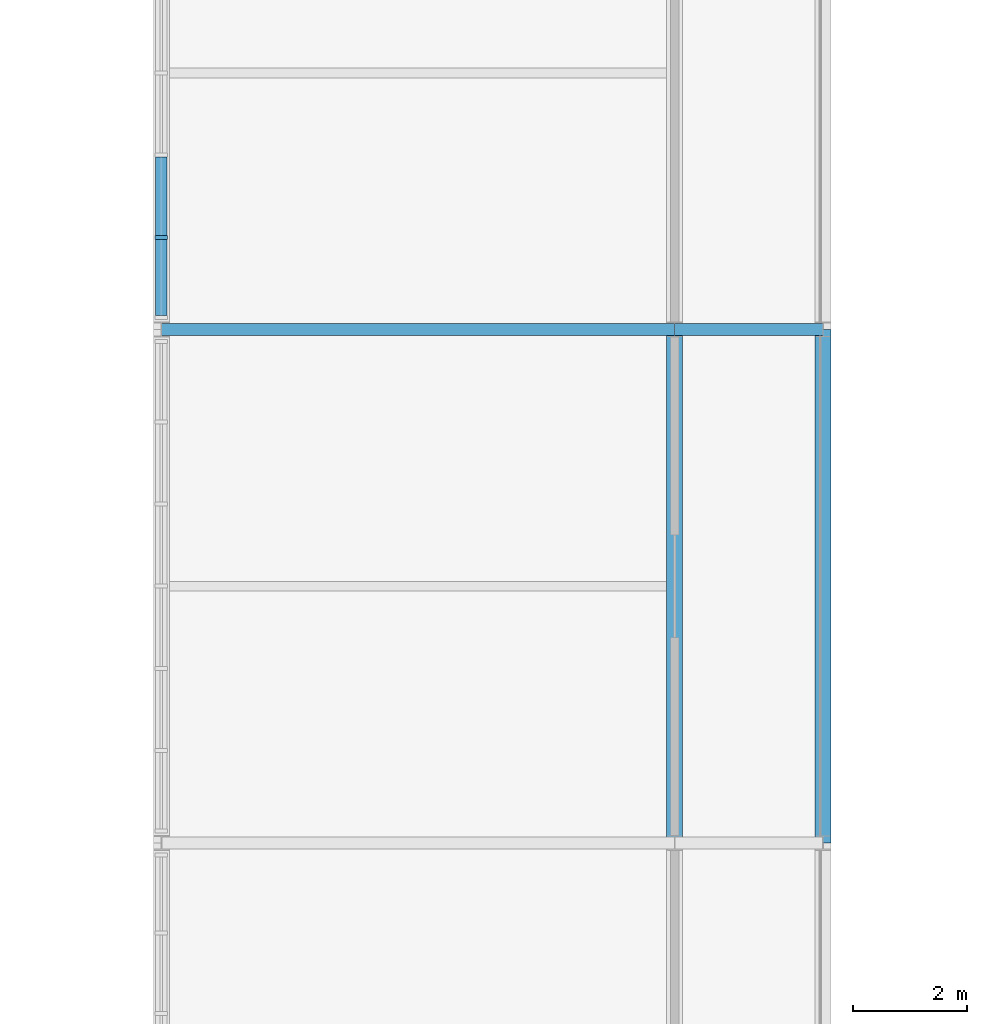
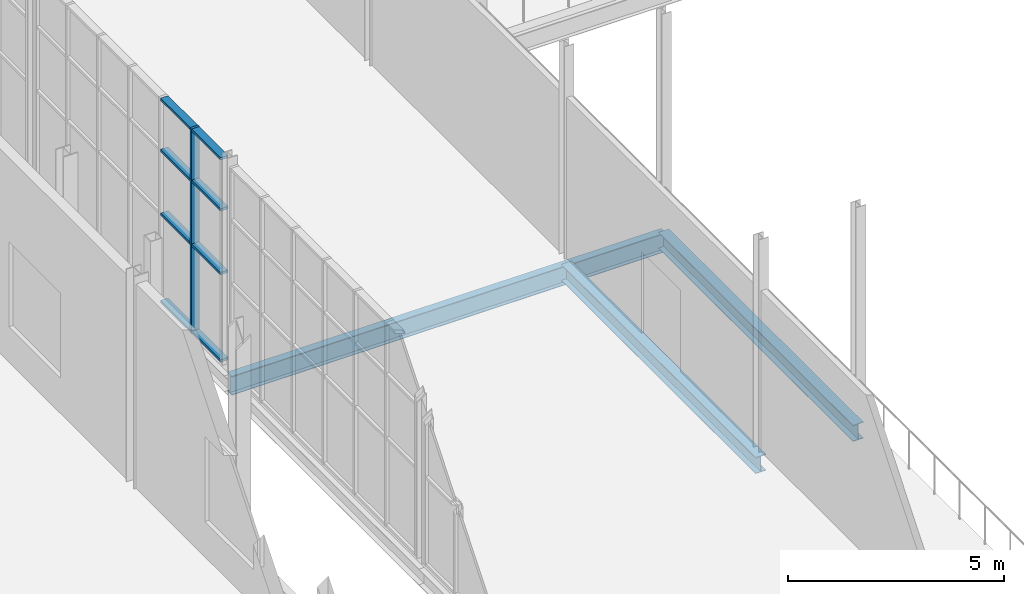
# One storey, part 54 of 159: 9 members, 4 beams, 1 element without a shape of its own.
"""IFC4 building model written with IfcOpenShell, lengths in metres."""

from ifc_helpers import new_model, si_unit, direction, frame, origin, origin_2d, place, context, subcontext, project, spatial, rectangle, i_section, extrude, material, layer, layer_set, material_profile, profile_set, type_object, element, aggregate, save


model = new_model("IFC4")

# Units and contexts
model_context = context("Model", 3, precision=1e-05, world=origin(), true_north=direction((0.0, 1.0)))
body_context = subcontext(model_context, "Body", "Model", "MODEL_VIEW")
ifc_project = project(units=[si_unit("LENGTHUNIT", "METRE"), si_unit("AREAUNIT", "SQUARE_METRE"), si_unit("VOLUMEUNIT", "CUBIC_METRE"), si_unit("PLANEANGLEUNIT", "RADIAN"), si_unit("MASSUNIT", "GRAM", prefix="KILO")], contexts=[model_context])

# Site, building, storey
site_placement = place(None, origin())
site = spatial("IfcSite", under=ifc_project, at=site_placement, CompositionType="ELEMENT")
building_placement = place(site_placement, origin())
building = spatial("IfcBuilding", under=site, at=building_placement, Name="Cazmaro Siding Exhibition Halls", CompositionType="ELEMENT")
storey_placement = place(building_placement, frame((0.0, 0.0, 6.0)))
storey = spatial("IfcBuildingStorey", under=building, at=storey_placement, Name="L01", CompositionType="ELEMENT", Elevation=6.0)

# Beams
ifc_material_1 = material(Name="Steel ASTM A992 Grade 50", Category="steel")
ifc_material_profile_1 = material_profile(ifc_material_1, i_section(OverallWidth=0.2099609375, OverallDepth=0.535888671875, WebThickness=0.010986328125, FlangeThickness=0.01708984375, at=origin_2d()), Name="W21X68")
ifc_profile_set_1 = profile_set([ifc_material_profile_1], Name="Steel ASTM A992 Grade 50")
beam_type_1 = type_object("IfcBeamType", Name="B-02", PredefinedType="BEAM", material=ifc_profile_set_1)
beam_1_placement = place(storey_placement, frame((48.199951171875, 94.0, -0.488037109375), z_axis=(1.0, 0.0, 0.0), x_axis=(0.0, 1.0, 0.0)))
element("IfcBeam", 1, at=beam_1_placement, inside=storey, type_object=beam_type_1, Name="Beam B-02 BM-0350", PredefinedType="BEAM", context=body_context, shape_type="SweptSolid", body=[
    extrude(i_section(OverallWidth=0.2099609375, OverallDepth=0.535888671875, WebThickness=0.010986328125, FlangeThickness=0.01708984375, at=origin_2d()), origin(), (0.0, 0.0, 1.0), 9.0),
])
beam_2_placement = place(storey_placement, frame((57.199951171875, 94.0, -0.488037109375), z_axis=(1.0, 0.0, 0.0), x_axis=(0.0, 1.0, 0.0)))
element("IfcBeam", 2, at=beam_2_placement, inside=storey, type_object=beam_type_1, Name="Beam B-02 BM-0366", PredefinedType="BEAM", context=body_context, shape_type="SweptSolid", body=[
    extrude(i_section(OverallWidth=0.2099609375, OverallDepth=0.535888671875, WebThickness=0.010986328125, FlangeThickness=0.01708984375, at=origin_2d()), origin(), (0.0, 0.0, 1.0), 2.60009765625),
])
ifc_material_2 = material(Name="Steel ASTM A992 Grade 50", Category="steel")
ifc_material_profile_2 = material_profile(ifc_material_2, i_section(OverallWidth=0.279052734375, OverallDepth=0.4619140625, WebThickness=0.010986328125, FlangeThickness=0.01708984375, at=origin_2d()), Name="W18X76")
ifc_profile_set_2 = profile_set([ifc_material_profile_2], Name="Steel ASTM A992 Grade 50")
beam_type_2 = type_object("IfcBeamType", Name="B-03", PredefinedType="BEAM", material=ifc_profile_set_2)
for number, where, z_axis, x_axis, name in (
    (3, (57.199951171875, 85.0, -0.450927734375), (0.0, 1.0, 0.0), (-1.0, 0.0, 0.0), "Beam B-03 BM-0356"),
    (4, (59.800048828125, 85.0, -0.450927734375), (0.0, 1.0, 0.0), (-1.0, 0.0, 0.0), "Beam B-03 BM-0369"),
):
    element("IfcBeam", number, at=place(storey_placement, frame(where, z_axis=z_axis, x_axis=x_axis)), inside=storey, type_object=beam_type_2, Name=name, PredefinedType="BEAM", context=body_context, shape_type="SweptSolid", body=[
        extrude(i_section(OverallWidth=0.279052734375, OverallDepth=0.4619140625, WebThickness=0.010986328125, FlangeThickness=0.01708984375, at=origin_2d()), origin(), (0.0, 0.0, 1.0), 9.0),
    ])

# Curtain wall, members
ifc_material_3 = material(Name="Anodized Bronze Aluminum and Solar-Control Low-E Glazing", Category="aluminium")
ifc_layer = layer(ifc_material_3, 0.219970703125)
ifc_layer_set = layer_set([ifc_layer], Name="Anodized Bronze Aluminum and Solar-Control Low-E Glazing")
curtain_wall_type = type_object("IfcCurtainWallType", Name="CWS-03", PredefinedType="USERDEFINED", material=ifc_layer_set)
curtain_wall_placement = place(storey_placement, origin())
curtain_wall = element("IfcCurtainWall", 5, at=curtain_wall_placement, inside=storey, type_object=curtain_wall_type, Name="Glazed Curtain Wall CWS-03 CW-057", ObjectType="GLAZED CURTAIN WALL", PredefinedType="USERDEFINED")
ifc_material_4 = material(Name="Anodized Bronze Extruded Aluminum", Category="aluminium")
ifc_material_profile_3 = material_profile(ifc_material_4, rectangle(XDim=0.219970703125, YDim=0.070068359375, at=origin_2d()), Name="CWM-03")
ifc_profile_set_3 = profile_set([ifc_material_profile_3], Name="Anodized Bronze Extruded Aluminum")
member_type_1 = type_object("IfcMemberType", Name="CWM-03", PredefinedType="MULLION", material=ifc_profile_set_3)
member_1_placement = place(storey_placement, frame((48.199951171875, 95.617919921875, 0.0), z_axis=(0.0, 0.0, 1.0), x_axis=(1.0, 0.0, 0.0)))
member_1 = element("IfcMember", 6, at=member_1_placement, type_object=member_type_1, Name="CWS-03 mullion 6", PredefinedType="MULLION", context=body_context, shape_type="SweptSolid", body=[
    extrude(rectangle(XDim=0.219970703125, YDim=0.070068359375, at=origin_2d()), origin(), (0.0, 0.0, 1.0), 5.780029296875),
])
ifc_material_5 = material(Name="Anodized Bronze Extruded Aluminum", Category="aluminium")
ifc_material_profile_4 = material_profile(ifc_material_5, rectangle(XDim=0.199951171875, YDim=0.070068359375, at=origin_2d()), Name="CWT-03")
ifc_profile_set_4 = profile_set([ifc_material_profile_4], Name="Anodized Bronze Extruded Aluminum")
member_type_2 = type_object("IfcMemberType", Name="CWT-03", PredefinedType="MULLION", material=ifc_profile_set_4)
member_2_placement = place(storey_placement, frame((48.199951171875, 97.02392578125, 0.034912109375), z_axis=(0.0, -1.0, 0.0), x_axis=(1.0, 0.0, 0.0)))
member_2 = element("IfcMember", 7, at=member_2_placement, type_object=member_type_2, Name="CWS-03 transom 5.1", ObjectType="TRANSOM", PredefinedType="USERDEFINED", context=body_context, shape_type="SweptSolid", body=[
    extrude(rectangle(XDim=0.199951171875, YDim=0.070068359375, at=origin_2d()), origin(), (0.0, 0.0, 1.0), 1.370849609375),
])
member_3_placement = place(storey_placement, frame((48.199951171875, 97.02392578125, 2.5), z_axis=(0.0, -1.0, 0.0), x_axis=(1.0, 0.0, 0.0)))
member_3 = element("IfcMember", 8, at=member_3_placement, type_object=member_type_2, Name="CWS-03 transom 5.2", ObjectType="TRANSOM", PredefinedType="USERDEFINED", context=body_context, shape_type="SweptSolid", body=[
    extrude(rectangle(XDim=0.199951171875, YDim=0.070068359375, at=origin_2d()), origin(), (0.0, 0.0, 1.0), 1.370849609375),
])
member_4_placement = place(storey_placement, frame((48.199951171875, 97.02392578125, 4.300048828125), z_axis=(0.0, -1.0, 0.0), x_axis=(1.0, 0.0, 0.0)))
member_4 = element("IfcMember", 9, at=member_4_placement, type_object=member_type_2, Name="CWS-03 transom 5.3", ObjectType="TRANSOM", PredefinedType="USERDEFINED", context=body_context, shape_type="SweptSolid", body=[
    extrude(rectangle(XDim=0.199951171875, YDim=0.070068359375, at=origin_2d()), origin(), (0.0, 0.0, 1.0), 1.370849609375),
])
member_5_placement = place(storey_placement, frame((48.199951171875, 97.02392578125, 5.7451171875), z_axis=(0.0, -1.0, 0.0), x_axis=(1.0, 0.0, 0.0)))
member_5 = element("IfcMember", 10, at=member_5_placement, type_object=member_type_2, Name="CWS-03 transom 5.4", ObjectType="TRANSOM", PredefinedType="USERDEFINED", context=body_context, shape_type="SweptSolid", body=[
    extrude(rectangle(XDim=0.199951171875, YDim=0.070068359375, at=origin_2d()), origin(), (0.0, 0.0, 1.0), 1.370849609375),
])
member_6_placement = place(storey_placement, frame((48.199951171875, 95.5830078125, 0.034912109375), z_axis=(0.0, -1.0, 0.0), x_axis=(1.0, 0.0, 0.0)))
member_6 = element("IfcMember", 11, at=member_6_placement, type_object=member_type_2, Name="CWS-03 transom 6.1", ObjectType="TRANSOM", PredefinedType="USERDEFINED", context=body_context, shape_type="SweptSolid", body=[
    extrude(rectangle(XDim=0.199951171875, YDim=0.070068359375, at=origin_2d()), origin(), (0.0, 0.0, 1.0), 1.3359375),
])
member_7_placement = place(storey_placement, frame((48.199951171875, 95.5830078125, 2.5), z_axis=(0.0, -1.0, 0.0), x_axis=(1.0, 0.0, 0.0)))
member_7 = element("IfcMember", 12, at=member_7_placement, type_object=member_type_2, Name="CWS-03 transom 6.2", ObjectType="TRANSOM", PredefinedType="USERDEFINED", context=body_context, shape_type="SweptSolid", body=[
    extrude(rectangle(XDim=0.199951171875, YDim=0.070068359375, at=origin_2d()), origin(), (0.0, 0.0, 1.0), 1.3359375),
])
member_8_placement = place(storey_placement, frame((48.199951171875, 95.5830078125, 4.300048828125), z_axis=(0.0, -1.0, 0.0), x_axis=(1.0, 0.0, 0.0)))
member_8 = element("IfcMember", 13, at=member_8_placement, type_object=member_type_2, Name="CWS-03 transom 6.3", ObjectType="TRANSOM", PredefinedType="USERDEFINED", context=body_context, shape_type="SweptSolid", body=[
    extrude(rectangle(XDim=0.199951171875, YDim=0.070068359375, at=origin_2d()), origin(), (0.0, 0.0, 1.0), 1.3359375),
])
member_9_placement = place(storey_placement, frame((48.199951171875, 95.5830078125, 5.7451171875), z_axis=(0.0, -1.0, 0.0), x_axis=(1.0, 0.0, 0.0)))
member_9 = element("IfcMember", 14, at=member_9_placement, type_object=member_type_2, Name="CWS-03 transom 6.4", ObjectType="TRANSOM", PredefinedType="USERDEFINED", context=body_context, shape_type="SweptSolid", body=[
    extrude(rectangle(XDim=0.199951171875, YDim=0.070068359375, at=origin_2d()), origin(), (0.0, 0.0, 1.0), 1.3359375),
])
aggregate(curtain_wall, [member_1, member_2, member_3, member_4, member_5, member_6, member_7, member_8, member_9])

save(model, "model.ifc")
